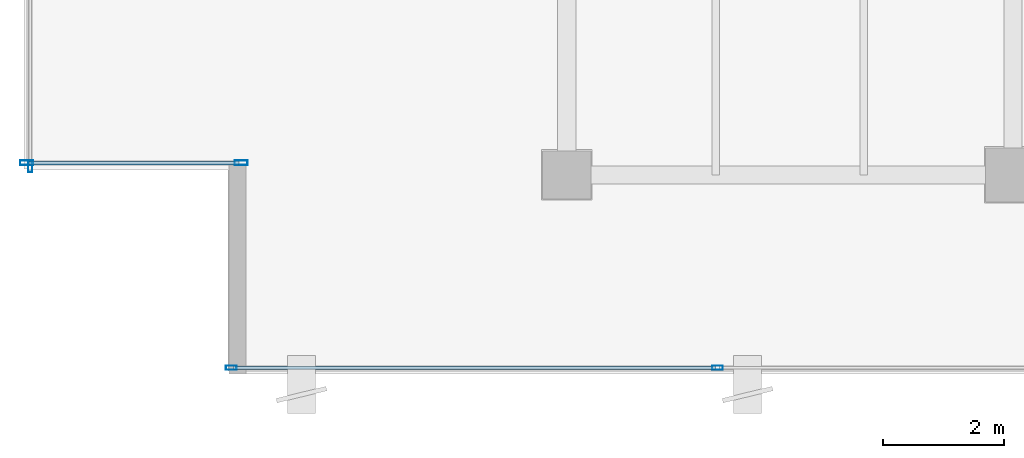
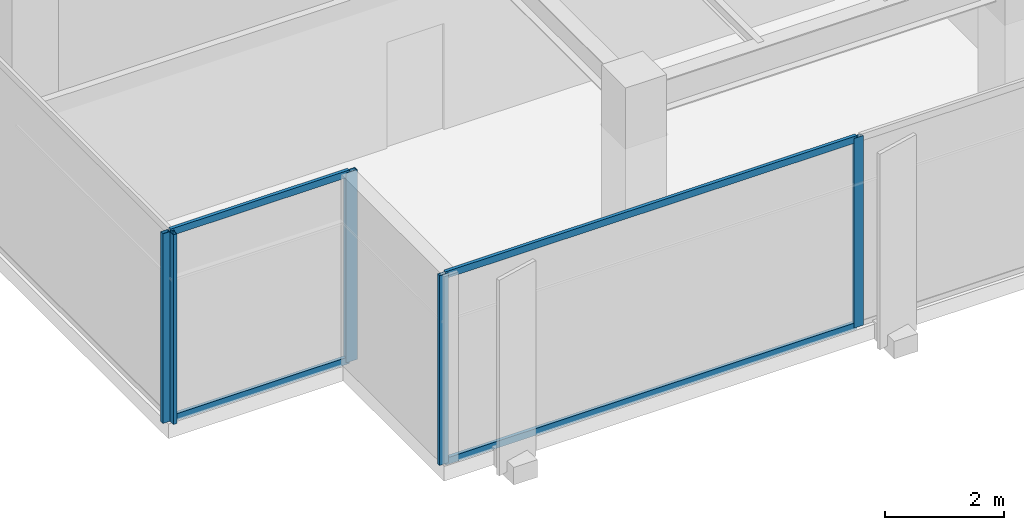
# One storey, part 4 of 32: 9 members, 3 elements without a shape of their own.
"""IFC4 building model written with IfcOpenShell, lengths in metres."""

from ifc_helpers import new_model, si_unit, direction, frame, origin, origin_2d, place, context, subcontext, project, spatial, hollow_rectangle, extrude, source, transform, mapped, material, layer, layer_set, material_profile, profile_set, type_object, type_shapes, element, aggregate, save


model = new_model("IFC4")

# Units and contexts
model_context = context("Model", 3, precision=1e-05, world=origin(), true_north=direction((0.0, 1.0)))
body_context = subcontext(model_context, "Body", "Model", "MODEL_VIEW")
ifc_project = project(units=[si_unit("LENGTHUNIT", "METRE"), si_unit("AREAUNIT", "SQUARE_METRE"), si_unit("VOLUMEUNIT", "CUBIC_METRE"), si_unit("PLANEANGLEUNIT", "RADIAN"), si_unit("MASSUNIT", "GRAM", prefix="KILO")], contexts=[model_context])

# Site, building, storey
site_placement = place(None, origin())
site = spatial("IfcSite", under=ifc_project, at=site_placement, CompositionType="ELEMENT")
building_placement = place(site_placement, origin())
building = spatial("IfcBuilding", under=site, at=building_placement, Name="Haelvirn Gate Laboratories", CompositionType="ELEMENT")
storey_placement = place(building_placement, frame((0.0, 0.0, 306.0)))
storey = spatial("IfcBuildingStorey", under=building, at=storey_placement, Name="L73", CompositionType="ELEMENT", Elevation=306.0)

# Curtain wall, members
ifc_material_1 = material(Name="Anodised bronze unitised aluminium & triple low-E glass", Category="aluminium")
ifc_layer_1 = layer(ifc_material_1, 0.176025390625, Name="CW-SYS-4")
ifc_layer_set_1 = layer_set([ifc_layer_1], Name="Anodised bronze unitised aluminium & triple low-E glass")
curtain_wall_type_1 = type_object("IfcCurtainWallType", Name="CW-SYS-4", PredefinedType="NOTDEFINED", material=ifc_layer_set_1)
curtain_wall_1_placement = place(storey_placement, origin())
curtain_wall_1 = element("IfcCurtainWall", 1, at=curtain_wall_1_placement, inside=storey, type_object=curtain_wall_type_1, Name="L73 Unitised Curtain Wall CW-L73-P0-E00-1", PredefinedType="NOTDEFINED")
ifc_material_2 = material(Name="Extruded aluminium 6063-T6 (anodised bronze)", Category="aluminium")
ifc_material_profile_1 = material_profile(ifc_material_2, hollow_rectangle(XDim=0.070068359375, YDim=0.179931640625, WallThickness=0.0048828125, at=origin_2d()), Name="CWM-180x70x5")
ifc_profile_set_1 = profile_set([ifc_material_profile_1], Name="Extruded aluminium 6063-T6 (anodised bronze)")
member_type_1 = type_object("IfcMemberType", Name="CWM-T180", PredefinedType="MULLION", material=ifc_profile_set_1)
shared_shape_1 = source(origin(), body_context, "Body", "SweptSolid", [
    extrude(hollow_rectangle(XDim=0.070068359375, YDim=0.179931640625, WallThickness=0.0048828125, at=origin_2d()), origin(), (0.0, 0.0, 1.0), 3.89990234375),
])
type_shapes(member_type_1, [shared_shape_1])
member_1_placement = place(storey_placement, frame((9.235107421875, 3.800048828125, 0.0), z_axis=(0.0, 0.0, 1.0), x_axis=(0.0, 1.0, 0.0)))
member_1 = element("IfcMember", 2, at=member_1_placement, type_object=member_type_1, Name="CW4 mullion 1", PredefinedType="MULLION", context=body_context, shape_type="MappedRepresentation", body=[
    mapped(shared_shape_1, transform((0.0, 0.0, 0.0), scale=1.0)),
])
member_2_placement = place(storey_placement, frame((17.300048828125, 3.800048828125, 0.0), z_axis=(0.0, 0.0, 1.0), x_axis=(0.0, 1.0, 0.0)))
member_2 = element("IfcMember", 3, at=member_2_placement, type_object=member_type_1, Name="CW4 mullion 2", PredefinedType="MULLION", context=body_context, shape_type="MappedRepresentation", body=[
    mapped(shared_shape_1, transform((0.0, 0.0, 0.0), scale=1.0)),
])

# Curtain wall, member
curtain_wall_2_placement = place(storey_placement, origin())
curtain_wall_2 = element("IfcCurtainWall", 4, at=curtain_wall_2_placement, inside=storey, type_object=curtain_wall_type_1, Name="L73 Unitised Curtain Wall CW-L73-P0-E17", PredefinedType="NOTDEFINED")
member_3_placement = place(storey_placement, frame((5.89990234375, 7.135009765625, 0.0), z_axis=(0.0, 0.0, 1.0), x_axis=(1.0, 0.0, 0.0)))
member_3 = element("IfcMember", 5, at=member_3_placement, type_object=member_type_1, Name="CW4 mullion 3", PredefinedType="MULLION", context=body_context, shape_type="MappedRepresentation", body=[
    mapped(shared_shape_1, transform((0.0, 0.0, 0.0), scale=1.0)),
])
aggregate(curtain_wall_2, [member_3])

# Curtain wall, members
ifc_layer_2 = layer(ifc_material_1, 0.181884765625, Name="CW-SYS-5")
ifc_layer_set_2 = layer_set([ifc_layer_2], Name="Anodised bronze unitised aluminium & triple low-E glass")
curtain_wall_type_2 = type_object("IfcCurtainWallType", Name="CW-SYS-5", PredefinedType="NOTDEFINED", material=ifc_layer_set_2)
curtain_wall_3_placement = place(storey_placement, origin())
curtain_wall_3 = element("IfcCurtainWall", 6, at=curtain_wall_3_placement, inside=storey, type_object=curtain_wall_type_2, Name="L73 Unitised Curtain Wall CW-L73-P0-E18-1", PredefinedType="NOTDEFINED")
ifc_material_profile_2 = material_profile(ifc_material_2, hollow_rectangle(XDim=0.080078125, YDim=0.219970703125, WallThickness=0.006103515625, at=origin_2d()), Name="CWM-220x80x6")
ifc_profile_set_2 = profile_set([ifc_material_profile_2], Name="Extruded aluminium 6063-T6 (anodised bronze)")
member_type_2 = type_object("IfcMemberType", Name="CWM-T220", PredefinedType="MULLION", material=ifc_profile_set_2)
shared_shape_2 = source(origin(), body_context, "Body", "SweptSolid", [
    extrude(hollow_rectangle(XDim=0.080078125, YDim=0.219970703125, WallThickness=0.006103515625, at=origin_2d()), origin(), (0.0, 0.0, 1.0), 3.89990234375),
])
type_shapes(member_type_2, [shared_shape_2])
member_4_placement = place(storey_placement, frame((5.840087890625, 7.199951171875, 0.0), z_axis=(0.0, 0.0, 1.0), x_axis=(0.0, 1.0, 0.0)))
member_4 = element("IfcMember", 7, at=member_4_placement, type_object=member_type_2, Name="CW5 mullion 1", PredefinedType="MULLION", context=body_context, shape_type="MappedRepresentation", body=[
    mapped(shared_shape_2, transform((0.0, 0.0, 0.0), scale=1.0)),
])
member_5_placement = place(storey_placement, frame((9.39990234375, 7.199951171875, 0.0), z_axis=(0.0, 0.0, 1.0), x_axis=(0.0, 1.0, 0.0)))
member_5 = element("IfcMember", 8, at=member_5_placement, type_object=member_type_2, Name="CW5 mullion 2", PredefinedType="MULLION", context=body_context, shape_type="MappedRepresentation", body=[
    mapped(shared_shape_2, transform((0.0, 0.0, 0.0), scale=1.0)),
])
ifc_material_profile_3 = material_profile(ifc_material_2, hollow_rectangle(XDim=0.06494140625, YDim=0.139892578125, WallThickness=0.00390625, at=origin_2d()), Name="CWT-140x65x4")
ifc_profile_set_3 = profile_set([ifc_material_profile_3], Name="Extruded aluminium 6063-T6 (anodised bronze)")
member_type_3 = type_object("IfcMemberType", Name="CWT-T140", PredefinedType="USERDEFINED", material=ifc_profile_set_3)
shared_shape_3 = source(origin(), body_context, "Body", "SweptSolid", [
    extrude(hollow_rectangle(XDim=0.06494140625, YDim=0.139892578125, WallThickness=0.00390625, at=origin_2d()), origin(), (0.0, 0.0, 1.0), 3.480224609375),
])
member_6_placement = place(storey_placement, frame((5.8798828125, 7.199951171875, 0.032470703125), z_axis=(1.0, 0.0, 0.0), x_axis=(0.0, 1.0, 0.0)))
member_6 = element("IfcMember", 9, at=member_6_placement, type_object=member_type_3, Name="CW5 transom 1.1", ObjectType="TRANSOM", PredefinedType="USERDEFINED", context=body_context, shape_type="MappedRepresentation", body=[
    mapped(shared_shape_3, transform((0.0, 0.0, 0.0), scale=1.0)),
])
member_7_placement = place(storey_placement, frame((5.8798828125, 7.199951171875, 3.867431640625), z_axis=(1.0, 0.0, 0.0), x_axis=(0.0, 1.0, 0.0)))
member_7 = element("IfcMember", 10, at=member_7_placement, type_object=member_type_3, Name="CW5 transom 1.2", ObjectType="TRANSOM", PredefinedType="USERDEFINED", context=body_context, shape_type="MappedRepresentation", body=[
    mapped(shared_shape_3, transform((0.0, 0.0, 0.0), scale=1.0)),
])
aggregate(curtain_wall_3, [member_4, member_5, member_6, member_7])

# Member
shared_shape_4 = source(origin(), body_context, "Body", "SweptSolid", [
    extrude(hollow_rectangle(XDim=0.06494140625, YDim=0.139892578125, WallThickness=0.00390625, at=origin_2d()), origin(), (0.0, 0.0, 1.0), 7.994873046875),
])
type_shapes(member_type_3, [shared_shape_3, shared_shape_4])
member_8_placement = place(storey_placement, frame((9.27001953125, 3.800048828125, 0.032470703125), z_axis=(1.0, 0.0, 0.0), x_axis=(0.0, 1.0, 0.0)))
member_8 = element("IfcMember", 11, at=member_8_placement, type_object=member_type_3, Name="CW4 transom 1.1", ObjectType="TRANSOM", PredefinedType="USERDEFINED", context=body_context, shape_type="MappedRepresentation", body=[
    mapped(shared_shape_4, transform((0.0, 0.0, 0.0), scale=1.0)),
])

member_9_placement = place(storey_placement, frame((9.27001953125, 3.800048828125, 3.867431640625), z_axis=(1.0, 0.0, 0.0), x_axis=(0.0, 1.0, 0.0)))
member_9 = element("IfcMember", 12, at=member_9_placement, type_object=member_type_3, Name="CW4 transom 1.2", ObjectType="TRANSOM", PredefinedType="USERDEFINED", context=body_context, shape_type="MappedRepresentation", body=[
    mapped(shared_shape_4, transform((0.0, 0.0, 0.0), scale=1.0)),
])

aggregate(curtain_wall_1, [member_1, member_2, member_8, member_9])

save(model, "model.ifc")
